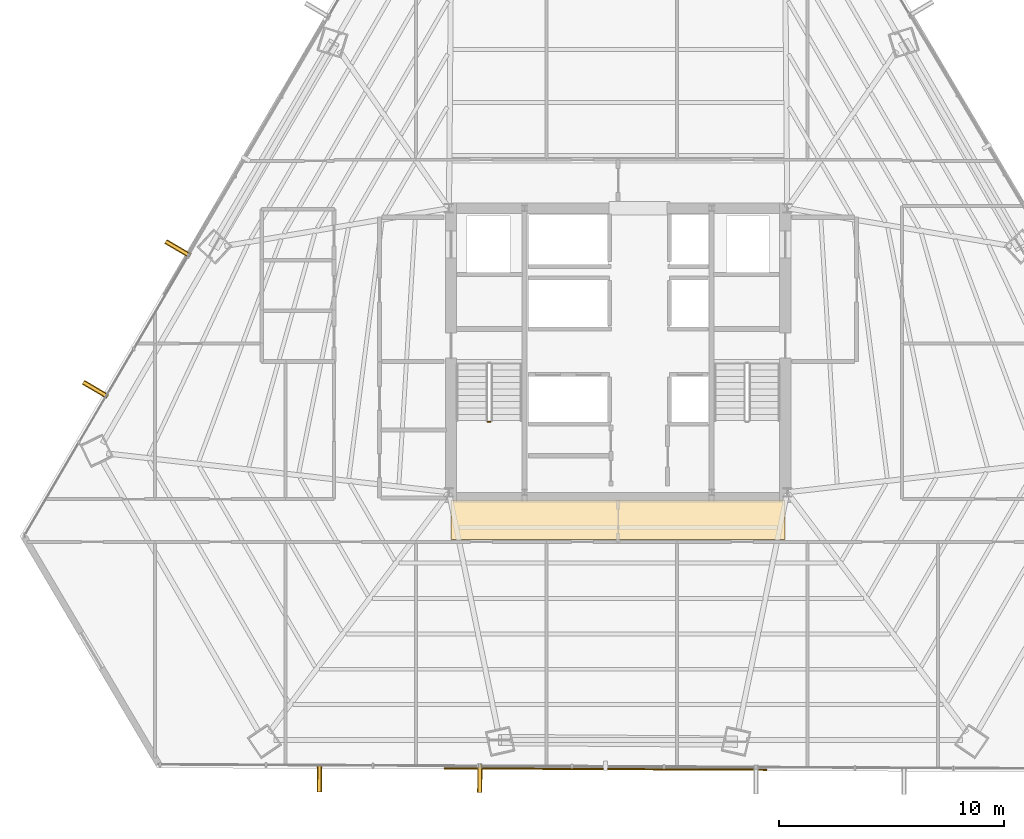
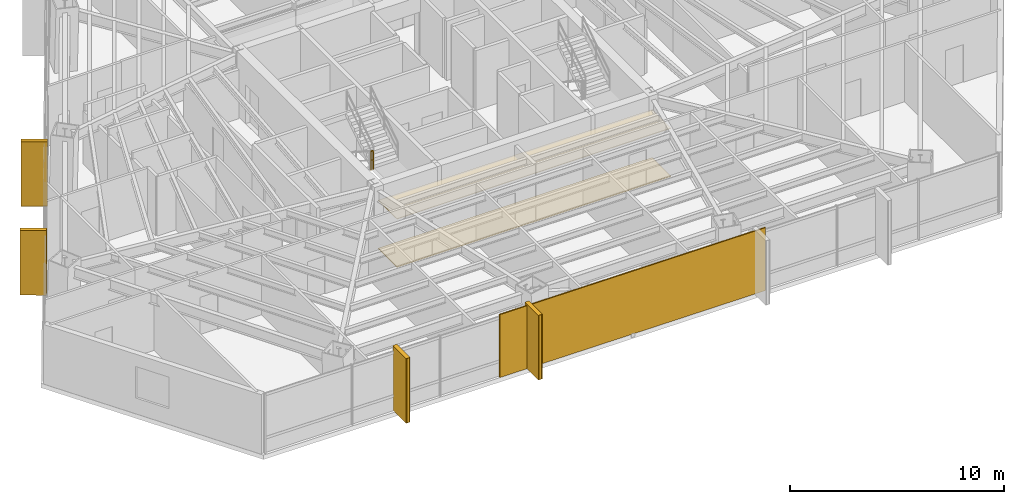
# One storey, part 34 of 37: 6 coverings, 5 shading devices, 1 railing.
"""IFC4 building model written with IfcOpenShell, lengths in metres."""

from ifc_helpers import new_model, si_unit, direction, frame, origin, origin_2d, place, context, subcontext, project, spatial, polyline, rectangle, outline, extrude, source, transform, mapped, material, layer, layer_set, type_object, type_shapes, element, save


model = new_model("IFC4")

# Units and contexts
model_context = context("Model", 3, precision=1e-05, world=origin(), true_north=direction((0.0, 1.0)))
body_context = subcontext(model_context, "Body", "Model", "MODEL_VIEW")
ifc_project = project(units=[si_unit("LENGTHUNIT", "METRE"), si_unit("AREAUNIT", "SQUARE_METRE"), si_unit("VOLUMEUNIT", "CUBIC_METRE"), si_unit("PLANEANGLEUNIT", "RADIAN"), si_unit("MASSUNIT", "GRAM", prefix="KILO")], contexts=[model_context])

# Site, building, storey
site_placement = place(None, origin())
site = spatial("IfcSite", under=ifc_project, at=site_placement, CompositionType="ELEMENT")
building_placement = place(site_placement, origin())
building = spatial("IfcBuilding", under=site, at=building_placement, Name="Caelisora Broadcast Tower", CompositionType="ELEMENT")
storey_placement = place(building_placement, frame((0.0, 0.0, 105.39990234375)))
storey = spatial("IfcBuildingStorey", under=building, at=storey_placement, Name="L27", CompositionType="ELEMENT", Elevation=105.39990234375)

# Coverings
ifc_material_1 = material(Name="Perforated Mineral-Fibre Acoustic Ceiling Tile", Category="gypsum")
ifc_layer_1 = layer(ifc_material_1, 0.034912109375, Name="Perforated Mineral-Fibre Acoustic Ceiling Tile")
ifc_layer_set_1 = layer_set([ifc_layer_1], Name="Perforated Mineral-Fibre Acoustic Ceiling Tile")
covering_type_1 = type_object("IfcCoveringType", Name="CE-1", PredefinedType="CEILING", material=ifc_layer_set_1)
covering_1_placement = place(storey_placement, frame((0.0, 0.0, 2.75)))
element("IfcCovering", 1, at=covering_1_placement, inside=storey, type_object=covering_type_1, Name="L27 acoustic corridor ceiling CE-1 (S)", PredefinedType="CEILING", context=body_context, shape_type="SweptSolid", body=[
    extrude(outline(polyline([(30.60009765625, 15.300048828125), (45.39990234375, 15.300048828125), (45.39990234375, 17.050048828125), (30.60009765625, 17.050048828125), (30.60009765625, 15.300048828125)])), origin(), (0.0, 0.0, 1.0), 0.03515625),
])
ifc_material_2 = material(Name="Anti-Static Broadcast Raised Access Floor Panel", Category="steel")
ifc_layer_2 = layer(ifc_material_2, 0.044921875, Name="Anti-Static Broadcast Raised Access Floor Panel")
ifc_layer_set_2 = layer_set([ifc_layer_2], Name="Anti-Static Broadcast Raised Access Floor Panel")
covering_type_2 = type_object("IfcCoveringType", Name="FL-1", PredefinedType="FLOORING", material=ifc_layer_set_2)
covering_2_placement = place(storey_placement, origin())
element("IfcCovering", 2, at=covering_2_placement, inside=storey, type_object=covering_type_2, Name="L27 broadcast raised access floor FL-1 (S)", PredefinedType="FLOORING", context=body_context, shape_type="SweptSolid", body=[
    extrude(outline(polyline([(30.60009765625, 15.300048828125), (45.39990234375, 15.300048828125), (45.39990234375, 17.050048828125), (30.60009765625, 17.050048828125), (30.60009765625, 15.300048828125)])), origin(), (0.0, 0.0, 1.0), 0.045166015625),
])

# Railing
ifc_material_3 = material(Name="Galvanised Steel Safety Guardrail", Category="steel")
ifc_layer_3 = layer(ifc_material_3, 0.048095703125, Name="Galvanised Steel Safety Guardrail")
ifc_layer_set_3 = layer_set([ifc_layer_3], Name="Galvanised Steel Safety Guardrail")
railing_type = type_object("IfcRailingType", Name="GR-1", PredefinedType="GUARDRAIL", material=ifc_layer_set_3)
railing_placement = place(storey_placement, frame((32.219970703125, 20.530029296875, 1.8251953125)))
element("IfcRailing", 3, at=railing_placement, inside=storey, type_object=railing_type, Name="L27 ST-1 stair guard 2", PredefinedType="GUARDRAIL", context=body_context, shape_type="SweptSolid", body=[
    extrude(rectangle(XDim=0.048095703125, YDim=0.048095703125, at=origin_2d()), frame((0.0, 0.0, 1.076171875), z_axis=(1.0, 0.0, 0.0), x_axis=(0.0, 1.0, 0.0)), (0.0, 0.0, 1.0), 0.1201171875),
    extrude(rectangle(XDim=0.03125, YDim=0.03125, at=origin_2d()), frame((0.0, 0.0, 0.550048828125), z_axis=(1.0, 0.0, 0.0), x_axis=(0.0, 1.0, 0.0)), (0.0, 0.0, 1.0), 0.1201171875),
    extrude(rectangle(XDim=0.0419921875, YDim=0.0419921875, at=origin_2d()), origin(), (0.0, 0.0, 1.0), 1.052001953125),
    extrude(rectangle(XDim=0.0419921875, YDim=0.0419921875, at=origin_2d()), frame((0.1201171875, 0.0, 0.0)), (0.0, 0.0, 1.0), 1.052001953125),
])

# Coverings
ifc_material_4 = material(Name="Kiln-Fired Terracotta Spandrel Rainscreen Cladding", Category="ceramic")
ifc_layer_4 = layer(ifc_material_4, 0.044921875, Name="Kiln-Fired Terracotta Spandrel Rainscreen Cladding")
ifc_layer_set_4 = layer_set([ifc_layer_4], Name="Kiln-Fired Terracotta Spandrel Rainscreen Cladding")
covering_type_3 = type_object("IfcCoveringType", Name="CL-1", PredefinedType="CLADDING", material=ifc_layer_set_4)
shared_shape_1 = source(origin(), body_context, "Body", "SweptSolid", [
    extrude(rectangle(XDim=0.219970703125, YDim=1.25, at=origin_2d()), origin(), (0.0, 0.0, 1.0), 3.68994140625),
])
type_shapes(covering_type_3, [shared_shape_1])
for number, where, z_axis, x_axis, name in (
    (4, (31.86572265625, 4.70068359375, -0.019775390625), (0.0, 0.0, 1.0), (-0.999989703949, 0.004537840481, 0.0), "L27 vertical solar fin cladding #2-3"),
    (5, (24.74951171875, 4.7333984375, -0.019775390625), (0.0, 0.0, 1.0), (-0.999989703949, 0.004537840481, 0.0), "L27 vertical solar fin cladding #2-4"),
    (6, (14.8203125, 21.965576171875, -0.019775390625), (0.0, 0.0, 1.0), (0.505431492718, 0.862866737202, 0.0), "L27 vertical solar fin cladding #3-1"),
    (7, (18.47705078125, 28.20703125, -0.019775390625), (0.0, 0.0, 1.0), (0.505431492718, 0.862866737202, 0.0), "L27 vertical solar fin cladding #3-2"),
):
    element("IfcCovering", number, at=place(storey_placement, frame(where, z_axis=z_axis, x_axis=x_axis)), inside=storey, type_object=covering_type_3, Name=name, PredefinedType="CLADDING", context=body_context, shape_type="MappedRepresentation", body=[
        mapped(shared_shape_1, transform((0.0, 0.0, 0.0), scale=1.0)),
    ])

# Shading devices
ifc_material_5 = material(Name="Extruded Terracotta Flaring Colonnade Fin", Category="ceramic")
ifc_layer_5 = layer(ifc_material_5, 0.139892578125, Name="Extruded Terracotta Flaring Colonnade Fin")
ifc_layer_set_5 = layer_set([ifc_layer_5], Name="Extruded Terracotta Flaring Colonnade Fin")
shading_device_type_1 = type_object("IfcShadingDeviceType", Name="FN-1", PredefinedType="USERDEFINED", material=ifc_layer_set_5)
shared_shape_2 = source(origin(), body_context, "Body", "SweptSolid", [
    extrude(rectangle(XDim=0.139892578125, YDim=1.25, at=origin_2d()), origin(), (0.0, 0.0, 1.0), 3.669921875),
])
type_shapes(shading_device_type_1, [shared_shape_2])
for number, where, z_axis, x_axis, name in (
    (8, (31.86572265625, 4.70068359375, -0.009765625), (0.0, 0.0, 1.0), (-0.999989703949, 0.004537840481, 0.0), "L27 vertical terracotta fin #2-3"),
    (9, (24.74951171875, 4.7333984375, -0.009765625), (0.0, 0.0, 1.0), (-0.999989703949, 0.004537840481, 0.0), "L27 vertical terracotta fin #2-4"),
    (10, (14.8203125, 21.965576171875, -0.009765625), (0.0, 0.0, 1.0), (0.505431492718, 0.862866737202, 0.0), "L27 vertical terracotta fin #3-1"),
    (11, (18.47705078125, 28.20703125, -0.009765625), (0.0, 0.0, 1.0), (0.505431492718, 0.862866737202, 0.0), "L27 vertical terracotta fin #3-2"),
):
    element("IfcShadingDevice", number, at=place(storey_placement, frame(where, z_axis=z_axis, x_axis=x_axis)), inside=storey, type_object=shading_device_type_1, Name=name, ObjectType="FIN", PredefinedType="USERDEFINED", context=body_context, shape_type="MappedRepresentation", body=[
        mapped(shared_shape_2, transform((0.0, 0.0, 0.0), scale=1.0)),
    ])
ifc_material_6 = material(Name="Perforated Glazed Terracotta Baguette Solar Screen", Category="ceramic")
ifc_layer_6 = layer(ifc_material_6, 0.06494140625, Name="Perforated Glazed Terracotta Baguette Solar Screen")
ifc_layer_set_6 = layer_set([ifc_layer_6], Name="Perforated Glazed Terracotta Baguette Solar Screen")
shading_device_type_2 = type_object("IfcShadingDeviceType", Name="SS-1", PredefinedType="USERDEFINED", material=ifc_layer_set_6)
shared_shape_3 = source(origin(), body_context, "Body", "SweptSolid", [
    extrude(rectangle(XDim=14.321044921875, YDim=0.06494140625, at=origin_2d()), origin(), (0.0, 0.0, 1.0), 3.590087890625),
])
type_shapes(shading_device_type_2, [shared_shape_3])
shading_device_placement = place(storey_placement, frame((37.440673828125, 5.125, 0.0), z_axis=(0.0, 0.0, 1.0), x_axis=(0.999989703949, -0.004537840481, 0.0)))
element("IfcShadingDevice", 12, at=shading_device_placement, inside=storey, type_object=shading_device_type_2, Name="L27 perforated terracotta solar screen #2", ObjectType="SOLAR SCREEN", PredefinedType="USERDEFINED", context=body_context, shape_type="MappedRepresentation", body=[
    mapped(shared_shape_3, transform((0.0, 0.0, 0.0), scale=1.0)),
])

save(model, "model.ifc")
